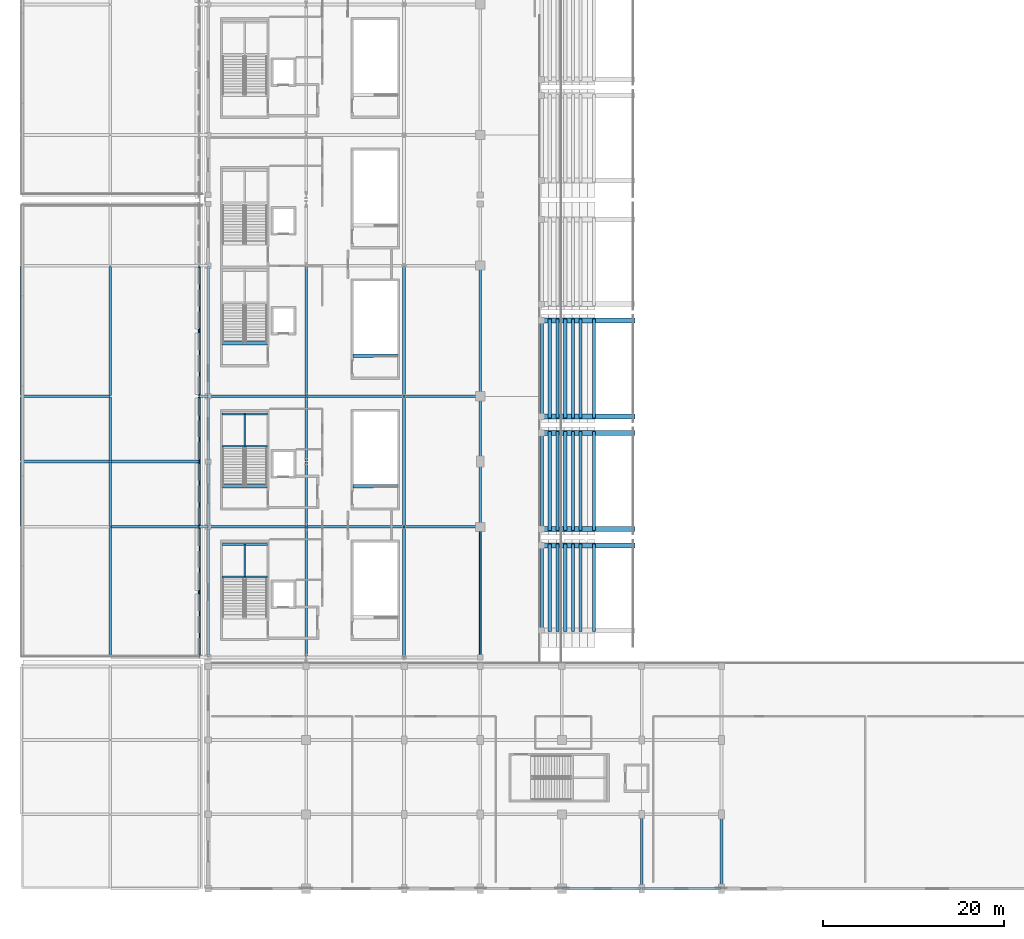
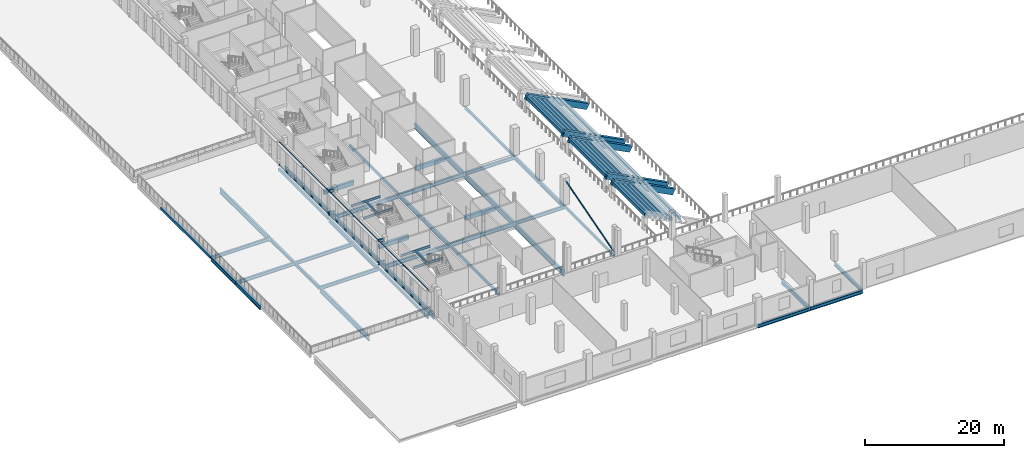
# One storey, part 14 of 74: 80 beams, 7 members.
"""IFC4 building model written with IfcOpenShell, lengths in metres."""

from ifc_helpers import new_model, si_unit, direction, frame, origin, origin_2d, place, context, subcontext, project, spatial, rectangle, hollow_rectangle, i_section, extrude, material, material_profile, profile_set, type_object, element, save


model = new_model("IFC4")

# Units and contexts
model_context = context("Model", 3, precision=1e-05, world=origin(), true_north=direction((0.0, 1.0)))
body_context = subcontext(model_context, "Body", "Model", "MODEL_VIEW")
ifc_project = project(units=[si_unit("LENGTHUNIT", "METRE"), si_unit("AREAUNIT", "SQUARE_METRE"), si_unit("VOLUMEUNIT", "CUBIC_METRE"), si_unit("PLANEANGLEUNIT", "RADIAN"), si_unit("MASSUNIT", "GRAM", prefix="KILO")], contexts=[model_context])

# Site, building, storey
site_placement = place(None, origin())
site = spatial("IfcSite", under=ifc_project, at=site_placement, CompositionType="ELEMENT")
building_placement = place(site_placement, origin())
building = spatial("IfcBuilding", under=site, at=building_placement, Name="Koshinbarg Plaza Stadium", CompositionType="ELEMENT")
storey_placement = place(building_placement, frame((0.0, 0.0, 15.0)))
storey = spatial("IfcBuildingStorey", under=building, at=storey_placement, Name="L03", CompositionType="ELEMENT", Elevation=15.0)

# Beams
ifc_material_1 = material(Name="Steel S355", Category="steel")
ifc_material_profile_1 = material_profile(ifc_material_1, i_section(OverallWidth=0.300048828125, OverallDepth=0.5, WebThickness=0.014404296875, FlangeThickness=0.028076171875, at=origin_2d()), Name="HEB 500")
ifc_profile_set_1 = profile_set([ifc_material_profile_1], Name="Steel S355")
beam_type_1 = type_object("IfcBeamType", Name="BM-CANOPY-CANT", PredefinedType="BEAM", material=ifc_profile_set_1)
for number, where, z_axis, x_axis, name in (
    (1, (24.60009765625, 39.89990234375, 0.25), (-1.0, 0.0, 0.0), (0.0, -1.0, 0.0), "Outer screen cantilever outrigger W-L03-Y02"),
    (2, (24.60009765625, 39.89990234375, 4.179931640625), (-1.0, 0.0, 0.0), (0.0, -1.0, 0.0), "Outer screen cantilever outrigger W-L03-Y02"),
    (3, (24.60009765625, 54.300048828125, 0.25), (-1.0, 0.0, 0.0), (0.0, -1.0, 0.0), "Outer screen cantilever outrigger W-L03-Y03"),
    (4, (24.60009765625, 54.300048828125, 4.179931640625), (-1.0, 0.0, 0.0), (0.0, -1.0, 0.0), "Outer screen cantilever outrigger W-L03-Y03"),
):
    element("IfcBeam", number, at=place(storey_placement, frame(where, z_axis=z_axis, x_axis=x_axis)), inside=storey, type_object=beam_type_1, Name=name, PredefinedType="BEAM", context=body_context, shape_type="SweptSolid", body=[
        extrude(i_section(OverallWidth=0.300048828125, OverallDepth=0.5, WebThickness=0.014404296875, FlangeThickness=0.028076171875, at=origin_2d()), origin(), (0.0, 0.0, 1.0), 1.030029296875),
    ])
ifc_material_2 = material(Name="Concrete C40/50", Category="concrete")
ifc_material_profile_2 = material_profile(ifc_material_2, rectangle(XDim=0.550048828125, YDim=1.0, at=origin_2d()), Name="RC 550x1000")
ifc_profile_set_2 = profile_set([ifc_material_profile_2], Name="Concrete C40/50")
beam_type_2 = type_object("IfcBeamType", Name="BM-RAKER-UT", PredefinedType="USERDEFINED", material=ifc_profile_set_2)
for number, where, z_axis, x_axis, name in (
    (5, (71.4599609375, 37.85009765625, -2.54296875), (-0.888953125137, 0.0, 0.457998189198), (0.0, -1.0, 0.0), "Upper cantilevered bowl raker girder RAKER UT-W01-R"),
    (6, (71.4599609375, 39.64990234375, -2.54296875), (-0.888953125137, 0.0, 0.457998189198), (0.0, -1.0, 0.0), "Upper cantilevered bowl raker girder RAKER UT-W02-L"),
    (7, (71.4599609375, 50.25, -2.54296875), (-0.888953125137, 0.0, 0.457998189198), (0.0, -1.0, 0.0), "Upper cantilevered bowl raker girder RAKER UT-W02-R"),
    (8, (71.4599609375, 52.050048828125, -2.54296875), (-0.888953125137, 0.0, 0.457998189198), (0.0, -1.0, 0.0), "Upper cantilevered bowl raker girder RAKER UT-W03-L"),
    (9, (71.4599609375, 62.64990234375, -2.54296875), (-0.888953125137, 0.0, 0.457998189198), (0.0, -1.0, 0.0), "Upper cantilevered bowl raker girder RAKER UT-W03-R"),
):
    element("IfcBeam", number, at=place(storey_placement, frame(where, z_axis=z_axis, x_axis=x_axis)), inside=storey, type_object=beam_type_2, Name=name, ObjectType="GIRDER", PredefinedType="USERDEFINED", context=body_context, shape_type="SweptSolid", body=[
        extrude(rectangle(XDim=0.550048828125, YDim=1.0, at=origin_2d()), origin(), (0.0, 0.0, 1.0), 11.384033203125),
    ])
ifc_material_profile_3 = material_profile(ifc_material_2, rectangle(XDim=0.35009765625, YDim=0.60009765625, at=origin_2d()), Name="RC 350x600")
ifc_profile_set_3 = profile_set([ifc_material_profile_3], Name="Concrete C40/50")
beam_type_3 = type_object("IfcBeamType", Name="BM-RCG-01", PredefinedType="SPANDREL", material=ifc_profile_set_3)
for number, where, z_axis, x_axis, name in (
    (10, (67.1298828125, 28.35009765625, -0.080078125), (0.0, 1.0, 0.0), (-1.0, 0.0, 0.0), "Upper tier seat bearer UT-W01-R06"),
    (11, (65.669921875, 28.35009765625, 0.360107421875), (0.0, 1.0, 0.0), (-1.0, 0.0, 0.0), "Upper tier seat bearer UT-W01-R07"),
    (12, (64.820068359375, 28.35009765625, 0.800048828125), (0.0, 1.0, 0.0), (-1.0, 0.0, 0.0), "Upper tier seat bearer UT-W01-R08"),
    (13, (63.969970703125, 28.35009765625, 1.239990234375), (0.0, 1.0, 0.0), (-1.0, 0.0, 0.0), "Upper tier seat bearer UT-W01-R09"),
    (14, (63.1201171875, 28.35009765625, 1.679931640625), (0.0, 1.0, 0.0), (-1.0, 0.0, 0.0), "Upper tier seat bearer UT-W01-R10"),
    (15, (62.27001953125, 28.35009765625, 2.1201171875), (0.0, 1.0, 0.0), (-1.0, 0.0, 0.0), "Upper tier seat bearer UT-W01-R11"),
    (16, (61.419921875, 28.35009765625, 2.56005859375), (0.0, 1.0, 0.0), (-1.0, 0.0, 0.0), "Upper tier seat bearer UT-W01-R12"),
):
    element("IfcBeam", number, at=place(storey_placement, frame(where, z_axis=z_axis, x_axis=x_axis)), inside=storey, type_object=beam_type_3, Name=name, PredefinedType="SPANDREL", context=body_context, shape_type="SweptSolid", body=[
        extrude(rectangle(XDim=0.35009765625, YDim=0.60009765625, at=origin_2d()), origin(), (0.0, 0.0, 1.0), 9.64990234375),
    ])
for number, where, z_axis, x_axis, name in (
    (17, (67.1298828125, 39.5, -0.080078125), (0.0, 1.0, 0.0), (-1.0, 0.0, 0.0), "Upper tier seat bearer UT-W02-R06"),
    (18, (65.669921875, 39.5, 0.360107421875), (0.0, 1.0, 0.0), (-1.0, 0.0, 0.0), "Upper tier seat bearer UT-W02-R07"),
    (19, (64.820068359375, 39.5, 0.800048828125), (0.0, 1.0, 0.0), (-1.0, 0.0, 0.0), "Upper tier seat bearer UT-W02-R08"),
    (20, (63.969970703125, 39.5, 1.239990234375), (0.0, 1.0, 0.0), (-1.0, 0.0, 0.0), "Upper tier seat bearer UT-W02-R09"),
    (21, (63.1201171875, 39.5, 1.679931640625), (0.0, 1.0, 0.0), (-1.0, 0.0, 0.0), "Upper tier seat bearer UT-W02-R10"),
    (22, (62.27001953125, 39.5, 2.1201171875), (0.0, 1.0, 0.0), (-1.0, 0.0, 0.0), "Upper tier seat bearer UT-W02-R11"),
    (23, (61.419921875, 39.5, 2.56005859375), (0.0, 1.0, 0.0), (-1.0, 0.0, 0.0), "Upper tier seat bearer UT-W02-R12"),
):
    element("IfcBeam", number, at=place(storey_placement, frame(where, z_axis=z_axis, x_axis=x_axis)), inside=storey, type_object=beam_type_3, Name=name, PredefinedType="SPANDREL", context=body_context, shape_type="SweptSolid", body=[
        extrude(rectangle(XDim=0.35009765625, YDim=0.60009765625, at=origin_2d()), origin(), (0.0, 0.0, 1.0), 10.89990234375),
    ])
for number, where, z_axis, x_axis, name in (
    (24, (67.1298828125, 51.89990234375, -0.080078125), (0.0, 1.0, 0.0), (-1.0, 0.0, 0.0), "Upper tier seat bearer UT-W03-R06"),
    (25, (65.669921875, 51.89990234375, 0.360107421875), (0.0, 1.0, 0.0), (-1.0, 0.0, 0.0), "Upper tier seat bearer UT-W03-R07"),
    (26, (64.820068359375, 51.89990234375, 0.800048828125), (0.0, 1.0, 0.0), (-1.0, 0.0, 0.0), "Upper tier seat bearer UT-W03-R08"),
    (27, (63.969970703125, 51.89990234375, 1.239990234375), (0.0, 1.0, 0.0), (-1.0, 0.0, 0.0), "Upper tier seat bearer UT-W03-R09"),
    (28, (63.1201171875, 51.89990234375, 1.679931640625), (0.0, 1.0, 0.0), (-1.0, 0.0, 0.0), "Upper tier seat bearer UT-W03-R10"),
    (29, (62.27001953125, 51.89990234375, 2.1201171875), (0.0, 1.0, 0.0), (-1.0, 0.0, 0.0), "Upper tier seat bearer UT-W03-R11"),
    (30, (61.419921875, 51.89990234375, 2.56005859375), (0.0, 1.0, 0.0), (-1.0, 0.0, 0.0), "Upper tier seat bearer UT-W03-R12"),
):
    element("IfcBeam", number, at=place(storey_placement, frame(where, z_axis=z_axis, x_axis=x_axis)), inside=storey, type_object=beam_type_3, Name=name, PredefinedType="SPANDREL", context=body_context, shape_type="SweptSolid", body=[
        extrude(rectangle(XDim=0.35009765625, YDim=0.60009765625, at=origin_2d()), origin(), (0.0, 0.0, 1.0), 10.900146484375),
    ])
ifc_material_profile_4 = material_profile(ifc_material_2, rectangle(XDim=0.39990234375, YDim=0.75, at=origin_2d()), Name="RC 400x750")
ifc_profile_set_4 = profile_set([ifc_material_profile_4], Name="Concrete C40/50")
beam_type_4 = type_object("IfcBeamType", Name="BM-RCG-03", PredefinedType="USERDEFINED", material=ifc_profile_set_4)
for number, where, z_axis, x_axis, name in (
    (31, (26.14990234375, 44.360107421875, -0.375), (1.0, 0.0, 0.0), (0.0, 1.0, 0.0), "L03 stair landing header beam C02"),
    (32, (26.14990234375, 60.159912109375, -0.375), (1.0, 0.0, 0.0), (0.0, 1.0, 0.0), "L03 stair landing header beam C03"),
):
    element("IfcBeam", number, at=place(storey_placement, frame(where, z_axis=z_axis, x_axis=x_axis)), inside=storey, type_object=beam_type_4, Name=name, ObjectType="GIRDER", PredefinedType="USERDEFINED", context=body_context, shape_type="SweptSolid", body=[
        extrude(rectangle(XDim=0.39990234375, YDim=0.75, at=origin_2d()), origin(), (0.0, 0.0, 1.0), 4.97021484375),
    ])
for number, where, z_axis, x_axis, name in (
    (33, (40.550048828125, 44.360107421875, -0.375), (1.0, 0.0, 0.0), (0.0, 1.0, 0.0), "L03 stair landing header beam VX02"),
    (34, (40.550048828125, 58.760009765625, -0.375), (1.0, 0.0, 0.0), (0.0, 1.0, 0.0), "L03 stair landing header beam VX03"),
):
    element("IfcBeam", number, at=place(storey_placement, frame(where, z_axis=z_axis, x_axis=x_axis)), inside=storey, type_object=beam_type_4, Name=name, ObjectType="GIRDER", PredefinedType="USERDEFINED", context=body_context, shape_type="SweptSolid", body=[
        extrude(rectangle(XDim=0.39990234375, YDim=0.75, at=origin_2d()), origin(), (0.0, 0.0, 1.0), 4.969970703125),
    ])
ifc_material_profile_5 = material_profile(ifc_material_1, i_section(OverallWidth=0.179931640625, OverallDepth=0.39990234375, WebThickness=0.008544921875, FlangeThickness=0.013427734375, at=origin_2d()), Name="IPE 400")
ifc_profile_set_5 = profile_set([ifc_material_profile_5], Name="Steel S355")
beam_type_5 = type_object("IfcBeamType", Name="BM-SBM-01", PredefinedType="BEAM", material=ifc_profile_set_5)
for number, where, z_axis, x_axis, name in (
    (35, (26.14990234375, 34.409912109375, 1.8798828125), (1.0, 0.0, 0.0), (0.0, 1.0, 0.0), "L03 Protected Exit Stair C01 landing trimmer beam 1"),
    (36, (26.14990234375, 37.949951171875, 1.8798828125), (1.0, 0.0, 0.0), (0.0, 1.0, 0.0), "L03 Protected Exit Stair C01 landing trimmer beam 2"),
):
    element("IfcBeam", number, at=place(storey_placement, frame(where, z_axis=z_axis, x_axis=x_axis)), inside=storey, type_object=beam_type_5, Name=name, PredefinedType="BEAM", context=body_context, shape_type="SweptSolid", body=[
        extrude(i_section(OverallWidth=0.179931640625, OverallDepth=0.39990234375, WebThickness=0.008544921875, FlangeThickness=0.013427734375, at=origin_2d()), origin(), (0.0, 0.0, 1.0), 4.97021484375),
    ])
beam_1_placement = place(storey_placement, frame((28.635009765625, 34.409912109375, 1.8798828125), z_axis=(0.0, 1.0, 0.0), x_axis=(-1.0, 0.0, 0.0)))
element("IfcBeam", 37, at=beam_1_placement, inside=storey, type_object=beam_type_5, Name="L03 Protected Exit Stair C01 landing trimmer beam 3", PredefinedType="BEAM", context=body_context, shape_type="SweptSolid", body=[
    extrude(i_section(OverallWidth=0.179931640625, OverallDepth=0.39990234375, WebThickness=0.008544921875, FlangeThickness=0.013427734375, at=origin_2d()), origin(), (0.0, 0.0, 1.0), 3.5400390625),
])
for number, where, z_axis, x_axis, name in (
    (38, (26.14990234375, 48.81005859375, 1.8798828125), (1.0, 0.0, 0.0), (0.0, 1.0, 0.0), "L03 Protected Exit Stair C02 landing trimmer beam 1"),
    (39, (26.14990234375, 52.35009765625, 1.8798828125), (1.0, 0.0, 0.0), (0.0, 1.0, 0.0), "L03 Protected Exit Stair C02 landing trimmer beam 2"),
):
    element("IfcBeam", number, at=place(storey_placement, frame(where, z_axis=z_axis, x_axis=x_axis)), inside=storey, type_object=beam_type_5, Name=name, PredefinedType="BEAM", context=body_context, shape_type="SweptSolid", body=[
        extrude(i_section(OverallWidth=0.179931640625, OverallDepth=0.39990234375, WebThickness=0.008544921875, FlangeThickness=0.013427734375, at=origin_2d()), origin(), (0.0, 0.0, 1.0), 4.97021484375),
    ])
beam_2_placement = place(storey_placement, frame((28.635009765625, 48.81005859375, 1.8798828125), z_axis=(0.0, 1.0, 0.0), x_axis=(-1.0, 0.0, 0.0)))
element("IfcBeam", 40, at=beam_2_placement, inside=storey, type_object=beam_type_5, Name="L03 Protected Exit Stair C02 landing trimmer beam 3", PredefinedType="BEAM", context=body_context, shape_type="SweptSolid", body=[
    extrude(i_section(OverallWidth=0.179931640625, OverallDepth=0.39990234375, WebThickness=0.008544921875, FlangeThickness=0.013427734375, at=origin_2d()), origin(), (0.0, 0.0, 1.0), 3.5400390625),
])
ifc_material_profile_6 = material_profile(ifc_material_1, i_section(OverallWidth=0.300048828125, OverallDepth=0.60009765625, WebThickness=0.015380859375, FlangeThickness=0.030029296875, at=origin_2d()), Name="HEB 600")
ifc_profile_set_6 = profile_set([ifc_material_profile_6], Name="Steel S355")
beam_type_6 = type_object("IfcBeamType", Name="BM-SGIR-02", PredefinedType="USERDEFINED", material=ifc_profile_set_6)
beam_3_placement = place(storey_placement, frame((63.659912109375, 0.0, -0.6201171875), z_axis=(1.0, 0.0, 0.0), x_axis=(0.0, 1.0, 0.0)))
element("IfcBeam", 41, at=beam_3_placement, inside=storey, type_object=beam_type_6, Name="L03 X girder A/9-10", ObjectType="GIRDER", PredefinedType="USERDEFINED", context=body_context, shape_type="SweptSolid", body=[
    extrude(i_section(OverallWidth=0.300048828125, OverallDepth=0.60009765625, WebThickness=0.015380859375, FlangeThickness=0.030029296875, at=origin_2d()), origin(), (0.0, 0.0, 1.0), 8.68017578125),
])
beam_4_placement = place(storey_placement, frame((72.4599609375, 0.0, -0.6201171875), z_axis=(1.0, 0.0, 0.0), x_axis=(0.0, 1.0, 0.0)))
element("IfcBeam", 42, at=beam_4_placement, inside=storey, type_object=beam_type_6, Name="L03 X girder A/10-11", ObjectType="GIRDER", PredefinedType="USERDEFINED", context=body_context, shape_type="SweptSolid", body=[
    extrude(i_section(OverallWidth=0.300048828125, OverallDepth=0.60009765625, WebThickness=0.015380859375, FlangeThickness=0.030029296875, at=origin_2d()), origin(), (0.0, 0.0, 1.0), 8.679931640625),
])
beam_5_placement = place(storey_placement, frame((13.860107421875, 39.89990234375, -0.659912109375), z_axis=(1.0, 0.0, 0.0), x_axis=(0.0, 1.0, 0.0)))
element("IfcBeam", 43, at=beam_5_placement, inside=storey, type_object=beam_type_6, Name="L03 X girder F/3-4", ObjectType="GIRDER", PredefinedType="USERDEFINED", context=body_context, shape_type="SweptSolid", body=[
    extrude(i_section(OverallWidth=0.300048828125, OverallDepth=0.60009765625, WebThickness=0.015380859375, FlangeThickness=0.030029296875, at=origin_2d()), origin(), (0.0, 0.0, 1.0), 9.679931640625),
])
beam_6_placement = place(storey_placement, frame((46.260009765625, 39.89990234375, -0.6201171875), z_axis=(1.0, 0.0, 0.0), x_axis=(0.0, 1.0, 0.0)))
element("IfcBeam", 44, at=beam_6_placement, inside=storey, type_object=beam_type_6, Name="L03 X girder F/7-8", ObjectType="GIRDER", PredefinedType="USERDEFINED", context=body_context, shape_type="SweptSolid", body=[
    extrude(i_section(OverallWidth=0.300048828125, OverallDepth=0.60009765625, WebThickness=0.015380859375, FlangeThickness=0.030029296875, at=origin_2d()), origin(), (0.0, 0.0, 1.0), 8.280029296875),
])
for number, where, z_axis, x_axis, name in (
    (45, (4.06005859375, 47.10009765625, -0.659912109375), (1.0, 0.0, 0.0), (0.0, 1.0, 0.0), "L03 X girder G/2-3"),
    (46, (13.860107421875, 47.10009765625, -0.659912109375), (1.0, 0.0, 0.0), (0.0, 1.0, 0.0), "L03 X girder G/3-4"),
    (47, (4.06005859375, 54.300048828125, -0.659912109375), (1.0, 0.0, 0.0), (0.0, 1.0, 0.0), "L03 X girder H/2-3"),
):
    element("IfcBeam", number, at=place(storey_placement, frame(where, z_axis=z_axis, x_axis=x_axis)), inside=storey, type_object=beam_type_6, Name=name, ObjectType="GIRDER", PredefinedType="USERDEFINED", context=body_context, shape_type="SweptSolid", body=[
        extrude(i_section(OverallWidth=0.300048828125, OverallDepth=0.60009765625, WebThickness=0.015380859375, FlangeThickness=0.030029296875, at=origin_2d()), origin(), (0.0, 0.0, 1.0), 9.679931640625),
    ])
beam_7_placement = place(storey_placement, frame((46.260009765625, 54.300048828125, -0.6201171875), z_axis=(1.0, 0.0, 0.0), x_axis=(0.0, 1.0, 0.0)))
element("IfcBeam", 48, at=beam_7_placement, inside=storey, type_object=beam_type_6, Name="L03 X girder H/7-8", ObjectType="GIRDER", PredefinedType="USERDEFINED", context=body_context, shape_type="SweptSolid", body=[
    extrude(i_section(OverallWidth=0.300048828125, OverallDepth=0.60009765625, WebThickness=0.015380859375, FlangeThickness=0.030029296875, at=origin_2d()), origin(), (0.0, 0.0, 1.0), 8.280029296875),
])
for number, where, z_axis, x_axis, name in (
    (49, (13.800048828125, 39.9599609375, -0.659912109375), (0.0, 1.0, 0.0), (-1.0, 0.0, 0.0), "L03 Y girder 3/F-G"),
    (50, (13.800048828125, 47.159912109375, -0.659912109375), (0.0, 1.0, 0.0), (-1.0, 0.0, 0.0), "L03 Y girder 3/G-H"),
    (51, (24.60009765625, 39.9599609375, -0.6201171875), (0.0, 1.0, 0.0), (-1.0, 0.0, 0.0), "L03 Y girder 5/F-G"),
    (52, (24.60009765625, 47.159912109375, -0.6201171875), (0.0, 1.0, 0.0), (-1.0, 0.0, 0.0), "L03 Y girder 5/G-H"),
):
    element("IfcBeam", number, at=place(storey_placement, frame(where, z_axis=z_axis, x_axis=x_axis)), inside=storey, type_object=beam_type_6, Name=name, ObjectType="GIRDER", PredefinedType="USERDEFINED", context=body_context, shape_type="SweptSolid", body=[
        extrude(i_section(OverallWidth=0.300048828125, OverallDepth=0.60009765625, WebThickness=0.015380859375, FlangeThickness=0.030029296875, at=origin_2d()), origin(), (0.0, 0.0, 1.0), 7.080078125),
    ])
beam_8_placement = place(storey_placement, frame((81.199951171875, 0.06005859375, -0.6201171875), z_axis=(0.0, 1.0, 0.0), x_axis=(-1.0, 0.0, 0.0)))
element("IfcBeam", 53, at=beam_8_placement, inside=storey, type_object=beam_type_6, Name="L03 Y girder 11/A-B", ObjectType="GIRDER", PredefinedType="USERDEFINED", context=body_context, shape_type="SweptSolid", body=[
    extrude(i_section(OverallWidth=0.300048828125, OverallDepth=0.60009765625, WebThickness=0.015380859375, FlangeThickness=0.030029296875, at=origin_2d()), origin(), (0.0, 0.0, 1.0), 8.079833984375),
])
ifc_material_profile_7 = material_profile(ifc_material_1, i_section(OverallWidth=0.300048828125, OverallDepth=0.699951171875, WebThickness=0.01708984375, FlangeThickness=0.031982421875, at=origin_2d()), Name="HEB 700")
ifc_profile_set_7 = profile_set([ifc_material_profile_7], Name="Steel S355")
beam_type_7 = type_object("IfcBeamType", Name="BM-SGIR-03", PredefinedType="USERDEFINED", material=ifc_profile_set_7)
beam_9_placement = place(storey_placement, frame((24.659912109375, 39.89990234375, -0.669921875), z_axis=(1.0, 0.0, 0.0), x_axis=(0.0, 1.0, 0.0)))
element("IfcBeam", 54, at=beam_9_placement, inside=storey, type_object=beam_type_7, Name="L03 X girder F/5-6", ObjectType="GIRDER", PredefinedType="USERDEFINED", context=body_context, shape_type="SweptSolid", body=[
    extrude(i_section(OverallWidth=0.300048828125, OverallDepth=0.699951171875, WebThickness=0.01708984375, FlangeThickness=0.031982421875, at=origin_2d()), origin(), (0.0, 0.0, 1.0), 10.68017578125),
])
beam_10_placement = place(storey_placement, frame((35.4599609375, 39.89990234375, -0.669921875), z_axis=(1.0, 0.0, 0.0), x_axis=(0.0, 1.0, 0.0)))
element("IfcBeam", 55, at=beam_10_placement, inside=storey, type_object=beam_type_7, Name="L03 X girder F/6-7", ObjectType="GIRDER", PredefinedType="USERDEFINED", context=body_context, shape_type="SweptSolid", body=[
    extrude(i_section(OverallWidth=0.300048828125, OverallDepth=0.699951171875, WebThickness=0.01708984375, FlangeThickness=0.031982421875, at=origin_2d()), origin(), (0.0, 0.0, 1.0), 10.679931640625),
])
beam_11_placement = place(storey_placement, frame((24.659912109375, 54.300048828125, -0.669921875), z_axis=(1.0, 0.0, 0.0), x_axis=(0.0, 1.0, 0.0)))
element("IfcBeam", 56, at=beam_11_placement, inside=storey, type_object=beam_type_7, Name="L03 X girder H/5-6", ObjectType="GIRDER", PredefinedType="USERDEFINED", context=body_context, shape_type="SweptSolid", body=[
    extrude(i_section(OverallWidth=0.300048828125, OverallDepth=0.699951171875, WebThickness=0.01708984375, FlangeThickness=0.031982421875, at=origin_2d()), origin(), (0.0, 0.0, 1.0), 10.68017578125),
])
beam_12_placement = place(storey_placement, frame((35.4599609375, 54.300048828125, -0.669921875), z_axis=(1.0, 0.0, 0.0), x_axis=(0.0, 1.0, 0.0)))
element("IfcBeam", 57, at=beam_12_placement, inside=storey, type_object=beam_type_7, Name="L03 X girder H/6-7", ObjectType="GIRDER", PredefinedType="USERDEFINED", context=body_context, shape_type="SweptSolid", body=[
    extrude(i_section(OverallWidth=0.300048828125, OverallDepth=0.699951171875, WebThickness=0.01708984375, FlangeThickness=0.031982421875, at=origin_2d()), origin(), (0.0, 0.0, 1.0), 10.679931640625),
])
for number, where, z_axis, x_axis, name in (
    (58, (4.0, 39.9599609375, -0.7099609375), (0.0, 1.0, 0.0), (-1.0, 0.0, 0.0), "L03 Y girder 2/F-G"),
    (59, (4.0, 47.159912109375, -0.7099609375), (0.0, 1.0, 0.0), (-1.0, 0.0, 0.0), "L03 Y girder 2/G-H"),
    (60, (23.60009765625, 39.9599609375, -0.7099609375), (0.0, 1.0, 0.0), (-1.0, 0.0, 0.0), "L03 Y girder 4/F-G"),
    (61, (23.60009765625, 47.159912109375, -0.7099609375), (0.0, 1.0, 0.0), (-1.0, 0.0, 0.0), "L03 Y girder 4/G-H"),
    (62, (35.39990234375, 39.9599609375, -0.669921875), (0.0, 1.0, 0.0), (-1.0, 0.0, 0.0), "L03 Y girder 6/F-G"),
    (63, (35.39990234375, 47.159912109375, -0.669921875), (0.0, 1.0, 0.0), (-1.0, 0.0, 0.0), "L03 Y girder 6/G-H"),
    (64, (54.60009765625, 39.9599609375, -0.669921875), (0.0, 1.0, 0.0), (-1.0, 0.0, 0.0), "L03 Y girder 8/F-G"),
    (65, (54.60009765625, 47.159912109375, -0.669921875), (0.0, 1.0, 0.0), (-1.0, 0.0, 0.0), "L03 Y girder 8/G-H"),
):
    element("IfcBeam", number, at=place(storey_placement, frame(where, z_axis=z_axis, x_axis=x_axis)), inside=storey, type_object=beam_type_7, Name=name, ObjectType="GIRDER", PredefinedType="USERDEFINED", context=body_context, shape_type="SweptSolid", body=[
        extrude(i_section(OverallWidth=0.300048828125, OverallDepth=0.699951171875, WebThickness=0.01708984375, FlangeThickness=0.031982421875, at=origin_2d()), origin(), (0.0, 0.0, 1.0), 7.080078125),
    ])
beam_13_placement = place(storey_placement, frame((72.39990234375, 0.06005859375, -0.669921875), z_axis=(0.0, 1.0, 0.0), x_axis=(-1.0, 0.0, 0.0)))
element("IfcBeam", 66, at=beam_13_placement, inside=storey, type_object=beam_type_7, Name="L03 Y girder 10/A-B", ObjectType="GIRDER", PredefinedType="USERDEFINED", context=body_context, shape_type="SweptSolid", body=[
    extrude(i_section(OverallWidth=0.300048828125, OverallDepth=0.699951171875, WebThickness=0.01708984375, FlangeThickness=0.031982421875, at=origin_2d()), origin(), (0.0, 0.0, 1.0), 8.079833984375),
])
ifc_material_profile_8 = material_profile(ifc_material_1, i_section(OverallWidth=0.300048828125, OverallDepth=0.89990234375, WebThickness=0.0185546875, FlangeThickness=0.034912109375, at=origin_2d()), Name="HEB 900")
ifc_profile_set_8 = profile_set([ifc_material_profile_8], Name="Steel S355")
beam_type_8 = type_object("IfcBeamType", Name="BM-SGIR-05", PredefinedType="USERDEFINED", material=ifc_profile_set_8)
beam_14_placement = place(storey_placement, frame((13.800048828125, 25.56005859375, -0.81005859375), z_axis=(0.0, 1.0, 0.0), x_axis=(-1.0, 0.0, 0.0)))
element("IfcBeam", 67, at=beam_14_placement, inside=storey, type_object=beam_type_8, Name="L03 Y girder 3/E-F", ObjectType="GIRDER", PredefinedType="USERDEFINED", context=body_context, shape_type="SweptSolid", body=[
    extrude(i_section(OverallWidth=0.300048828125, OverallDepth=0.89990234375, WebThickness=0.0185546875, FlangeThickness=0.034912109375, at=origin_2d()), origin(), (0.0, 0.0, 1.0), 14.280029296875),
])
beam_15_placement = place(storey_placement, frame((13.800048828125, 54.360107421875, -0.81005859375), z_axis=(0.0, 1.0, 0.0), x_axis=(-1.0, 0.0, 0.0)))
element("IfcBeam", 68, at=beam_15_placement, inside=storey, type_object=beam_type_8, Name="L03 Y girder 3/H-J", ObjectType="GIRDER", PredefinedType="USERDEFINED", context=body_context, shape_type="SweptSolid", body=[
    extrude(i_section(OverallWidth=0.300048828125, OverallDepth=0.89990234375, WebThickness=0.0185546875, FlangeThickness=0.034912109375, at=origin_2d()), origin(), (0.0, 0.0, 1.0), 14.27978515625),
])
beam_16_placement = place(storey_placement, frame((24.60009765625, 25.56005859375, -0.77001953125), z_axis=(0.0, 1.0, 0.0), x_axis=(-1.0, 0.0, 0.0)))
element("IfcBeam", 69, at=beam_16_placement, inside=storey, type_object=beam_type_8, Name="L03 Y girder 5/E-F", ObjectType="GIRDER", PredefinedType="USERDEFINED", context=body_context, shape_type="SweptSolid", body=[
    extrude(i_section(OverallWidth=0.300048828125, OverallDepth=0.89990234375, WebThickness=0.0185546875, FlangeThickness=0.034912109375, at=origin_2d()), origin(), (0.0, 0.0, 1.0), 14.280029296875),
])
beam_17_placement = place(storey_placement, frame((24.60009765625, 54.360107421875, -0.77001953125), z_axis=(0.0, 1.0, 0.0), x_axis=(-1.0, 0.0, 0.0)))
element("IfcBeam", 70, at=beam_17_placement, inside=storey, type_object=beam_type_8, Name="L03 Y girder 5/H-J", ObjectType="GIRDER", PredefinedType="USERDEFINED", context=body_context, shape_type="SweptSolid", body=[
    extrude(i_section(OverallWidth=0.300048828125, OverallDepth=0.89990234375, WebThickness=0.0185546875, FlangeThickness=0.034912109375, at=origin_2d()), origin(), (0.0, 0.0, 1.0), 14.27978515625),
])
for number, where, z_axis, x_axis, name in (
    (71, (46.199951171875, 25.56005859375, -0.77001953125), (0.0, 1.0, 0.0), (-1.0, 0.0, 0.0), "L03 Y girder 7/E-F"),
    (72, (46.199951171875, 39.9599609375, -0.77001953125), (0.0, 1.0, 0.0), (-1.0, 0.0, 0.0), "L03 Y girder 7/F-H"),
):
    element("IfcBeam", number, at=place(storey_placement, frame(where, z_axis=z_axis, x_axis=x_axis)), inside=storey, type_object=beam_type_8, Name=name, ObjectType="GIRDER", PredefinedType="USERDEFINED", context=body_context, shape_type="SweptSolid", body=[
        extrude(i_section(OverallWidth=0.300048828125, OverallDepth=0.89990234375, WebThickness=0.0185546875, FlangeThickness=0.034912109375, at=origin_2d()), origin(), (0.0, 0.0, 1.0), 14.280029296875),
    ])
beam_18_placement = place(storey_placement, frame((46.199951171875, 54.360107421875, -0.77001953125), z_axis=(0.0, 1.0, 0.0), x_axis=(-1.0, 0.0, 0.0)))
element("IfcBeam", 73, at=beam_18_placement, inside=storey, type_object=beam_type_8, Name="L03 Y girder 7/H-J", ObjectType="GIRDER", PredefinedType="USERDEFINED", context=body_context, shape_type="SweptSolid", body=[
    extrude(i_section(OverallWidth=0.300048828125, OverallDepth=0.89990234375, WebThickness=0.0185546875, FlangeThickness=0.034912109375, at=origin_2d()), origin(), (0.0, 0.0, 1.0), 14.27978515625),
])
ifc_material_profile_9 = material_profile(ifc_material_1, hollow_rectangle(XDim=0.25, YDim=0.449951171875, WallThickness=0.01611328125, at=origin_2d()), Name="RHS 450x250x16")
ifc_profile_set_9 = profile_set([ifc_material_profile_9], Name="Steel S355")
beam_type_9 = type_object("IfcBeamType", Name="BM-SGIR-06", PredefinedType="USERDEFINED", material=ifc_profile_set_9)
beam_19_placement = place(storey_placement, frame((4.0, 54.360107421875, -0.5849609375), z_axis=(0.0, 1.0, 0.0), x_axis=(-1.0, 0.0, 0.0)))
element("IfcBeam", 74, at=beam_19_placement, inside=storey, type_object=beam_type_9, Name="L03 Y girder 2/H-J", ObjectType="GIRDER", PredefinedType="USERDEFINED", context=body_context, shape_type="SweptSolid", body=[
    extrude(hollow_rectangle(XDim=0.25, YDim=0.449951171875, WallThickness=0.01611328125, at=origin_2d()), origin(), (0.0, 0.0, 1.0), 14.27978515625),
])
beam_20_placement = place(storey_placement, frame((23.60009765625, 25.56005859375, -0.5849609375), z_axis=(0.0, 1.0, 0.0), x_axis=(-1.0, 0.0, 0.0)))
element("IfcBeam", 75, at=beam_20_placement, inside=storey, type_object=beam_type_9, Name="L03 Y girder 4/E-F", ObjectType="GIRDER", PredefinedType="USERDEFINED", context=body_context, shape_type="SweptSolid", body=[
    extrude(hollow_rectangle(XDim=0.25, YDim=0.449951171875, WallThickness=0.01611328125, at=origin_2d()), origin(), (0.0, 0.0, 1.0), 14.280029296875),
])
beam_21_placement = place(storey_placement, frame((23.60009765625, 54.360107421875, -0.5849609375), z_axis=(0.0, 1.0, 0.0), x_axis=(-1.0, 0.0, 0.0)))
element("IfcBeam", 76, at=beam_21_placement, inside=storey, type_object=beam_type_9, Name="L03 Y girder 4/H-J", ObjectType="GIRDER", PredefinedType="USERDEFINED", context=body_context, shape_type="SweptSolid", body=[
    extrude(hollow_rectangle(XDim=0.25, YDim=0.449951171875, WallThickness=0.01611328125, at=origin_2d()), origin(), (0.0, 0.0, 1.0), 14.27978515625),
])
beam_22_placement = place(storey_placement, frame((35.39990234375, 25.56005859375, -0.544921875), z_axis=(0.0, 1.0, 0.0), x_axis=(-1.0, 0.0, 0.0)))
element("IfcBeam", 77, at=beam_22_placement, inside=storey, type_object=beam_type_9, Name="L03 Y girder 6/E-F", ObjectType="GIRDER", PredefinedType="USERDEFINED", context=body_context, shape_type="SweptSolid", body=[
    extrude(hollow_rectangle(XDim=0.25, YDim=0.449951171875, WallThickness=0.01611328125, at=origin_2d()), origin(), (0.0, 0.0, 1.0), 14.280029296875),
])
beam_23_placement = place(storey_placement, frame((35.39990234375, 54.360107421875, -0.544921875), z_axis=(0.0, 1.0, 0.0), x_axis=(-1.0, 0.0, 0.0)))
element("IfcBeam", 78, at=beam_23_placement, inside=storey, type_object=beam_type_9, Name="L03 Y girder 6/H-J", ObjectType="GIRDER", PredefinedType="USERDEFINED", context=body_context, shape_type="SweptSolid", body=[
    extrude(hollow_rectangle(XDim=0.25, YDim=0.449951171875, WallThickness=0.01611328125, at=origin_2d()), origin(), (0.0, 0.0, 1.0), 14.27978515625),
])
beam_24_placement = place(storey_placement, frame((54.60009765625, 25.56005859375, -0.544921875), z_axis=(0.0, 1.0, 0.0), x_axis=(-1.0, 0.0, 0.0)))
element("IfcBeam", 79, at=beam_24_placement, inside=storey, type_object=beam_type_9, Name="L03 Y girder 8/E-F", ObjectType="GIRDER", PredefinedType="USERDEFINED", context=body_context, shape_type="SweptSolid", body=[
    extrude(hollow_rectangle(XDim=0.25, YDim=0.449951171875, WallThickness=0.01611328125, at=origin_2d()), origin(), (0.0, 0.0, 1.0), 14.280029296875),
])
beam_25_placement = place(storey_placement, frame((54.60009765625, 54.360107421875, -0.544921875), z_axis=(0.0, 1.0, 0.0), x_axis=(-1.0, 0.0, 0.0)))
element("IfcBeam", 80, at=beam_25_placement, inside=storey, type_object=beam_type_9, Name="L03 Y girder 8/H-J", ObjectType="GIRDER", PredefinedType="USERDEFINED", context=body_context, shape_type="SweptSolid", body=[
    extrude(hollow_rectangle(XDim=0.25, YDim=0.449951171875, WallThickness=0.01611328125, at=origin_2d()), origin(), (0.0, 0.0, 1.0), 14.27978515625),
])

# Members
ifc_material_profile_10 = material_profile(ifc_material_1, hollow_rectangle(XDim=0.14990234375, YDim=0.14990234375, WallThickness=0.008056640625, at=origin_2d()), Name="SHS 150x150x8")
ifc_profile_set_10 = profile_set([ifc_material_profile_10], Name="Steel S355")
member_type_1 = type_object("IfcMemberType", Name="MB-BRACE-07", PredefinedType="BRACE", material=ifc_profile_set_10)
member_placement = place(storey_placement, frame((54.60009765625, 25.580078125, 0.050048828125), z_axis=(0.0, 0.960062102973, 0.27978698761), x_axis=(-1.0, 0.0, 0.0)))
element("IfcMember", 81, at=member_placement, inside=storey, type_object=member_type_1, Name="L03 lateral frame brace 13", PredefinedType="BRACE", context=body_context, shape_type="SweptSolid", body=[
    extrude(hollow_rectangle(XDim=0.14990234375, YDim=0.14990234375, WallThickness=0.008056640625, at=origin_2d()), origin(), (0.0, 0.0, 1.0), 14.832275390625),
])
ifc_material_profile_11 = material_profile(ifc_material_1, hollow_rectangle(XDim=0.10009765625, YDim=0.199951171875, WallThickness=0.008056640625, at=origin_2d()), Name="RHS 200x100x8")
ifc_profile_set_11 = profile_set([ifc_material_profile_11], Name="Steel S355")
member_type_2 = type_object("IfcMemberType", Name="MB-PURL-03", PredefinedType="PURLIN", material=ifc_profile_set_11)
for number, where, z_axis, x_axis, name in (
    (82, (23.64990234375, 25.5, 0.25), (0.0, 1.0, 0.0), (-1.0, 0.0, 0.0), "L03 outer screen subframe rail W-1-BOT"),
    (83, (23.64990234375, 25.5, 4.179931640625), (0.0, 1.0, 0.0), (-1.0, 0.0, 0.0), "L03 outer screen subframe rail W-1-TOP"),
):
    element("IfcMember", number, at=place(storey_placement, frame(where, z_axis=z_axis, x_axis=x_axis)), inside=storey, type_object=member_type_2, Name=name, PredefinedType="PURLIN", context=body_context, shape_type="SweptSolid", body=[
        extrude(hollow_rectangle(XDim=0.10009765625, YDim=0.199951171875, WallThickness=0.008056640625, at=origin_2d()), origin(), (0.0, 0.0, 1.0), 14.39990234375),
    ])
for number, where, z_axis, x_axis, name in (
    (84, (23.64990234375, 39.89990234375, 0.25), (0.0, 1.0, 0.0), (-1.0, 0.0, 0.0), "L03 outer screen subframe rail W-2-BOT"),
    (85, (23.64990234375, 39.89990234375, 4.179931640625), (0.0, 1.0, 0.0), (-1.0, 0.0, 0.0), "L03 outer screen subframe rail W-2-TOP"),
):
    element("IfcMember", number, at=place(storey_placement, frame(where, z_axis=z_axis, x_axis=x_axis)), inside=storey, type_object=member_type_2, Name=name, PredefinedType="PURLIN", context=body_context, shape_type="SweptSolid", body=[
        extrude(hollow_rectangle(XDim=0.10009765625, YDim=0.199951171875, WallThickness=0.008056640625, at=origin_2d()), origin(), (0.0, 0.0, 1.0), 14.400146484375),
    ])
for number, where, z_axis, x_axis, name in (
    (86, (23.64990234375, 54.300048828125, 0.25), (0.0, 1.0, 0.0), (-1.0, 0.0, 0.0), "L03 outer screen subframe rail W-3-BOT"),
    (87, (23.64990234375, 54.300048828125, 4.179931640625), (0.0, 1.0, 0.0), (-1.0, 0.0, 0.0), "L03 outer screen subframe rail W-3-TOP"),
):
    element("IfcMember", number, at=place(storey_placement, frame(where, z_axis=z_axis, x_axis=x_axis)), inside=storey, type_object=member_type_2, Name=name, PredefinedType="PURLIN", context=body_context, shape_type="SweptSolid", body=[
        extrude(hollow_rectangle(XDim=0.10009765625, YDim=0.199951171875, WallThickness=0.008056640625, at=origin_2d()), origin(), (0.0, 0.0, 1.0), 14.39990234375),
    ])

save(model, "model.ifc")
